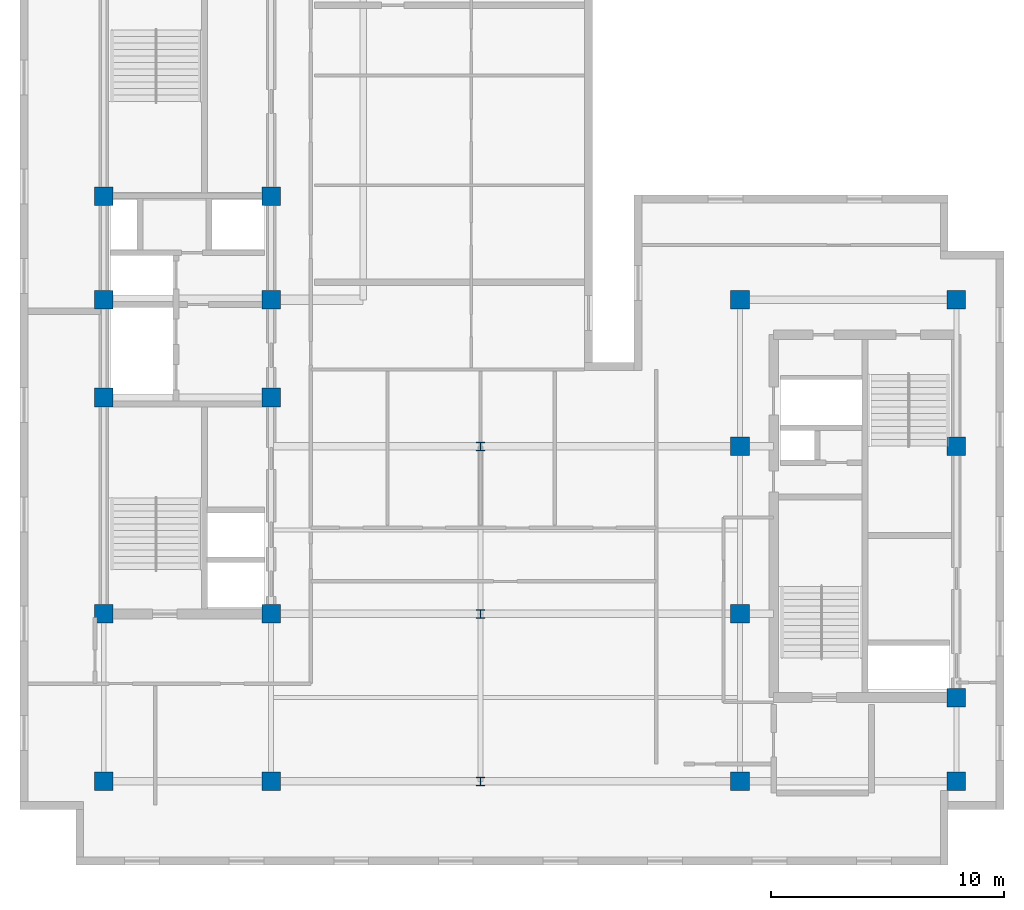
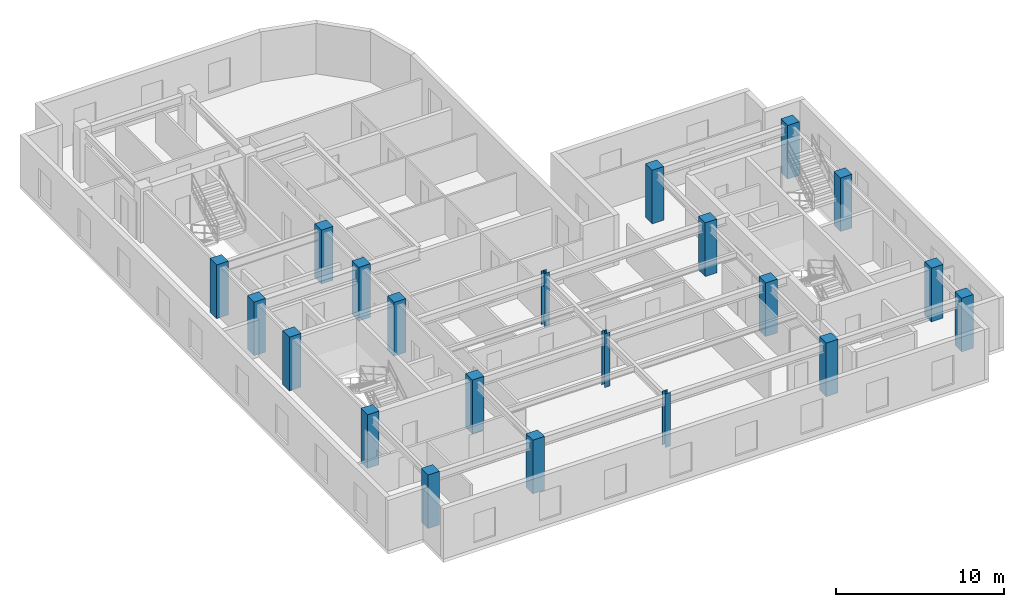
# One storey, part 1 of 10: 21 columns.
"""IFC4 building model written with IfcOpenShell, lengths in metres."""

from ifc_helpers import new_model, entity, si_unit, converted_unit, direction, frame, origin_with_axes, origin_2d_with_axis, place, context, subcontext, project, spatial, rectangle, i_section, extrude, material, material_profile, profile_set, type_object, element, save


model = new_model("IFC4")

# Units and contexts
model_context = context("Model", 3, precision=1e-05, world=origin_with_axes(), true_north=direction((0.0, 1.0)))
body_context = subcontext(model_context, "Body", "Model", "MODEL_VIEW")
ifc_project = project(units=[si_unit("LENGTHUNIT", "METRE"), si_unit("AREAUNIT", "SQUARE_METRE"), si_unit("VOLUMEUNIT", "CUBIC_METRE"), converted_unit("PLANEANGLEUNIT", "DEGREE", entity("IfcPlaneAngleMeasure", 0.017453292519943295), si_unit("PLANEANGLEUNIT", "RADIAN"), dimensions=[0, 0, 0, 0, 0, 0, 0]), si_unit("MASSUNIT", "GRAM", prefix="KILO"), si_unit("THERMODYNAMICTEMPERATUREUNIT", "KELVIN")], contexts=[model_context])

# Site, building, storey
site_placement = place(None, origin_with_axes())
site = spatial("IfcSite", under=ifc_project, at=site_placement, CompositionType="ELEMENT")
building_placement = place(site_placement, origin_with_axes())
building = spatial("IfcBuilding", under=site, at=building_placement, Name="Varnlund Millrace Tower", CompositionType="ELEMENT")
storey_placement = place(building_placement, frame((0.0, 0.0, 264.6), z_axis=(0.0, 0.0, 1.0), x_axis=(1.0, 0.0, 0.0)))
storey = spatial("IfcBuildingStorey", under=building, at=storey_placement, Name="L65", CompositionType="ELEMENT", Elevation=264.6)

# Columns
ifc_material_1 = material(Name="Steel ASTM A992 Grade 50", Category="steel")
ifc_material_profile_1 = material_profile(ifc_material_1, i_section(OverallWidth=0.369, OverallDepth=0.356, WebThickness=0.0112, FlangeThickness=0.018, FilletRadius=0.018, at=origin_2d_with_axis()), Name="Steel ASTM A992 Grade 50")
ifc_profile_set_1 = profile_set([ifc_material_profile_1], Name="Steel ASTM A992 Grade 50")
column_type_1 = type_object("IfcColumnType", Name="Type-Col-Int-W14X90", PredefinedType="COLUMN", material=ifc_profile_set_1)
for number, where, z_axis, x_axis, name in (
    (1, (27.6, 3.6, 0.0), (0.0, 0.0, 1.0), (1.0, 0.0, 0.0), "Type-Col-Int-W14X90"),
    (2, (27.6, 10.8, 0.0), (0.0, 0.0, 1.0), (1.0, 0.0, 0.0), "Type-Col-Int-W14X90"),
    (3, (27.6, 18.0, 0.0), (0.0, 0.0, 1.0), (1.0, 0.0, 0.0), "Type-Col-Int-W14X90"),
):
    element("IfcColumn", number, at=place(storey_placement, frame(where, z_axis=z_axis, x_axis=x_axis)), inside=storey, type_object=column_type_1, Name=name, PredefinedType="COLUMN", context=body_context, shape_type="SweptSolid", body=[
        extrude(i_section(OverallWidth=0.369, OverallDepth=0.356, WebThickness=0.0112, FlangeThickness=0.018, FilletRadius=0.018, at=origin_2d_with_axis()), origin_with_axes(), (0.0, 0.0, 1.0), 3.9),
    ])
ifc_material_2 = material(Name="Concrete C60/75", Category="concrete")
ifc_material_profile_2 = material_profile(ifc_material_2, rectangle(XDim=0.8, YDim=0.8, at=origin_2d_with_axis()), Name="Concrete C60/75")
ifc_profile_set_2 = profile_set([ifc_material_profile_2], Name="Concrete C60/75")
column_type_2 = type_object("IfcColumnType", Name="Type-Col-RC800-C60", PredefinedType="COLUMN", material=ifc_profile_set_2)
for number, where, z_axis, x_axis, name in (
    (4, (11.4, 3.6, 0.0), (0.0, 0.0, 1.0), (1.0, 0.0, 0.0), "Type-Col-RC800-C60"),
    (5, (11.4, 10.8, 0.0), (0.0, 0.0, 1.0), (1.0, 0.0, 0.0), "Type-Col-RC800-C60"),
    (6, (11.4, 20.1, 0.0), (0.0, 0.0, 1.0), (1.0, 0.0, 0.0), "Type-Col-RC800-C60"),
    (7, (11.4, 24.3, 0.0), (0.0, 0.0, 1.0), (1.0, 0.0, 0.0), "Type-Col-RC800-C60"),
    (8, (11.4, 28.75, 0.0), (0.0, 0.0, 1.0), (1.0, 0.0, 0.0), "Type-Col-RC800-C60"),
    (9, (18.6, 3.6, 0.0), (0.0, 0.0, 1.0), (1.0, 0.0, 0.0), "Type-Col-RC800-C60"),
    (10, (18.6, 10.8, 0.0), (0.0, 0.0, 1.0), (1.0, 0.0, 0.0), "Type-Col-RC800-C60"),
    (11, (18.6, 20.1, 0.0), (0.0, 0.0, 1.0), (1.0, 0.0, 0.0), "Type-Col-RC800-C60"),
    (12, (18.6, 24.3, 0.0), (0.0, 0.0, 1.0), (1.0, 0.0, 0.0), "Type-Col-RC800-C60"),
    (13, (18.6, 28.75, 0.0), (0.0, 0.0, 1.0), (1.0, 0.0, 0.0), "Type-Col-RC800-C60"),
    (14, (38.75, 3.6, 0.0), (0.0, 0.0, 1.0), (1.0, 0.0, 0.0), "Type-Col-RC800-C60"),
    (15, (38.75, 10.8, 0.0), (0.0, 0.0, 1.0), (1.0, 0.0, 0.0), "Type-Col-RC800-C60"),
    (16, (38.75, 18.0, 0.0), (0.0, 0.0, 1.0), (1.0, 0.0, 0.0), "Type-Col-RC800-C60"),
    (17, (38.75, 24.3, 0.0), (0.0, 0.0, 1.0), (1.0, 0.0, 0.0), "Type-Col-RC800-C60"),
    (18, (48.05, 3.6, 0.0), (0.0, 0.0, 1.0), (1.0, 0.0, 0.0), "Type-Col-RC800-C60"),
    (19, (48.05, 7.2, 0.0), (0.0, 0.0, 1.0), (1.0, 0.0, 0.0), "Type-Col-RC800-C60"),
    (20, (48.05, 18.0, 0.0), (0.0, 0.0, 1.0), (1.0, 0.0, 0.0), "Type-Col-RC800-C60"),
    (21, (48.05, 24.3, 0.0), (0.0, 0.0, 1.0), (1.0, 0.0, 0.0), "Type-Col-RC800-C60"),
):
    element("IfcColumn", number, at=place(storey_placement, frame(where, z_axis=z_axis, x_axis=x_axis)), inside=storey, type_object=column_type_2, Name=name, PredefinedType="COLUMN", context=body_context, shape_type="SweptSolid", body=[
        extrude(rectangle(XDim=0.8, YDim=0.8, at=origin_2d_with_axis()), origin_with_axes(), (0.0, 0.0, 1.0), 3.9),
    ])

save(model, "model.ifc")
